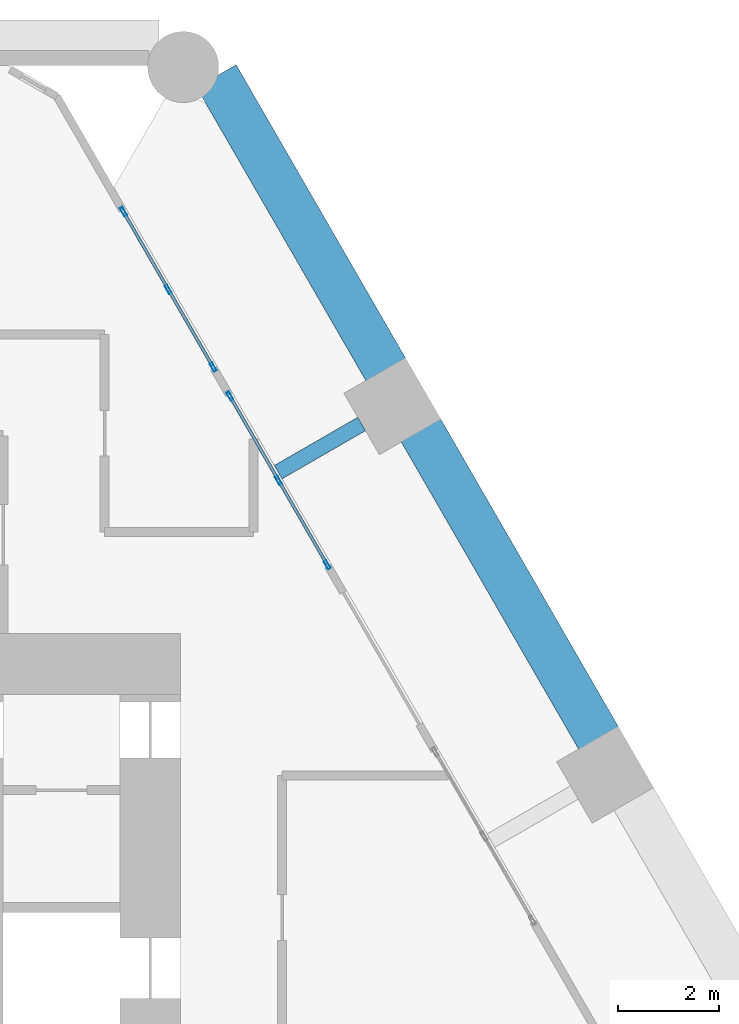
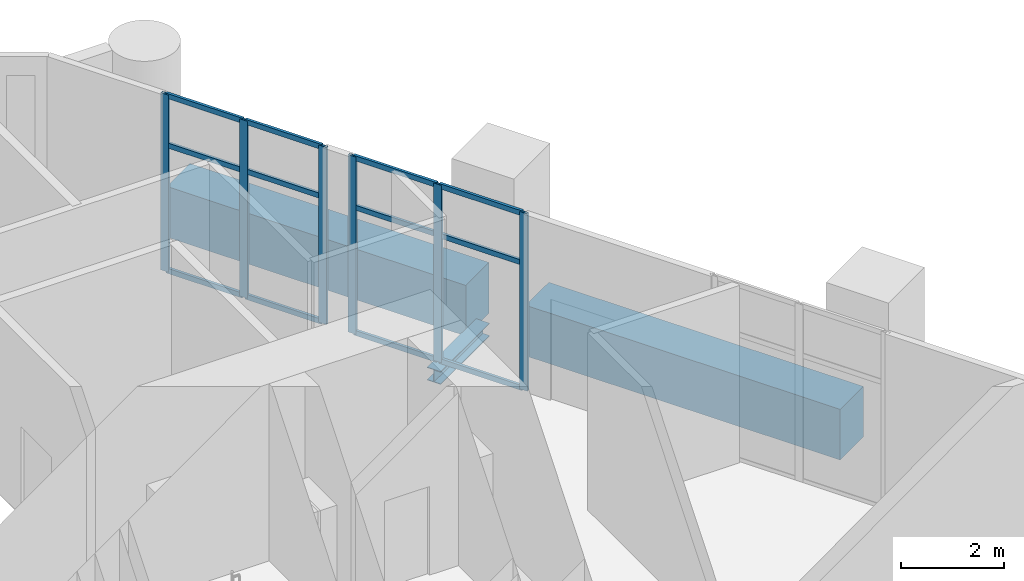
# One storey, part 11 of 18: 18 members, 3 beams, 2 elements without a shape of their own.
"""IFC4 building model written with IfcOpenShell, lengths in metres."""

from ifc_helpers import new_model, si_unit, direction, frame, origin, origin_2d, place, context, subcontext, project, spatial, rectangle, hollow_rectangle, i_section, extrude, material, material_profile, profile_set, type_object, element, aggregate, save


model = new_model("IFC4")

# Units and contexts
model_context = context("Model", 3, precision=1e-05, world=origin(), true_north=direction((0.0, 1.0)))
body_context = subcontext(model_context, "Body", "Model", "MODEL_VIEW")
ifc_project = project(units=[si_unit("LENGTHUNIT", "METRE"), si_unit("AREAUNIT", "SQUARE_METRE"), si_unit("VOLUMEUNIT", "CUBIC_METRE"), si_unit("PLANEANGLEUNIT", "RADIAN"), si_unit("MASSUNIT", "GRAM", prefix="KILO")], contexts=[model_context])

# Site, building, storey
site_placement = place(None, origin())
site = spatial("IfcSite", under=ifc_project, at=site_placement, CompositionType="ELEMENT")
building_placement = place(site_placement, origin())
building = spatial("IfcBuilding", under=site, at=building_placement, Name="Ostrander Bayou Hotel Tower", CompositionType="ELEMENT")
storey_placement = place(building_placement, frame((0.0, 0.0, 14.5)))
storey = spatial("IfcBuildingStorey", under=building, at=storey_placement, Name="L03", CompositionType="ELEMENT", Elevation=14.5)

# Curtain wall, members
ifc_material_1 = material(Name="Aluminium and clear glass", Category="aluminium")
curtain_wall_type = type_object("IfcCurtainWallType", Name="CW-SKY amenity glass wall", PredefinedType="NOTDEFINED", material=ifc_material_1)
curtain_wall_1_placement = place(storey_placement, origin())
curtain_wall_1 = element("IfcCurtainWall", 1, at=curtain_wall_1_placement, inside=storey, type_object=curtain_wall_type, Name="CW-SKY L03 NE 4", PredefinedType="NOTDEFINED")
ifc_material_2 = material(Name="Aluminium", Category="aluminium")
ifc_material_profile_1 = material_profile(ifc_material_2, hollow_rectangle(XDim=0.06005859375, YDim=0.179931640625, WallThickness=0.00390625, at=origin_2d()))
ifc_profile_set_1 = profile_set([ifc_material_profile_1], Name="Aluminium")
member_type_1 = type_object("IfcMemberType", Name="CW-SK mullion 60 x 180 mm", PredefinedType="MULLION", material=ifc_profile_set_1)
member_1_placement = place(storey_placement, frame((14.8916015625, 11.05712890625, 0.0), z_axis=(0.0, 0.0, 1.0), x_axis=(-0.866025463091, -0.499999897278, 0.0)))
member_1 = element("IfcMember", 2, at=member_1_placement, type_object=member_type_1, Name="CW-SKY mullion 1", PredefinedType="MULLION", context=body_context, shape_type="SweptSolid", body=[
    extrude(hollow_rectangle(XDim=0.06005859375, YDim=0.179931640625, WallThickness=0.00390625, at=origin_2d()), origin(), (0.0, 0.0, 1.0), 4.199951171875),
])
member_2_placement = place(storey_placement, frame((13.931396484375, 12.719970703125, 0.0), z_axis=(0.0, 0.0, 1.0), x_axis=(-0.866025463091, -0.499999897278, 0.0)))
member_2 = element("IfcMember", 3, at=member_2_placement, type_object=member_type_1, Name="CW-SKY mullion 2", PredefinedType="MULLION", context=body_context, shape_type="SweptSolid", body=[
    extrude(hollow_rectangle(XDim=0.06005859375, YDim=0.179931640625, WallThickness=0.00390625, at=origin_2d()), origin(), (0.0, 0.0, 1.0), 4.199951171875),
])
member_3_placement = place(storey_placement, frame((12.971435546875, 14.3828125, 0.0), z_axis=(0.0, 0.0, 1.0), x_axis=(-0.866025463091, -0.499999897278, 0.0)))
member_3 = element("IfcMember", 4, at=member_3_placement, type_object=member_type_1, Name="CW-SKY mullion 3", PredefinedType="MULLION", context=body_context, shape_type="SweptSolid", body=[
    extrude(hollow_rectangle(XDim=0.06005859375, YDim=0.179931640625, WallThickness=0.00390625, at=origin_2d()), origin(), (0.0, 0.0, 1.0), 4.199951171875),
])

curtain_wall_2_placement = place(storey_placement, origin())
curtain_wall_2 = element("IfcCurtainWall", 5, at=curtain_wall_2_placement, inside=storey, type_object=curtain_wall_type, Name="CW-SKY L03 NE 5", PredefinedType="NOTDEFINED")
member_4_placement = place(storey_placement, frame((12.6416015625, 14.954345703125, 0.0), z_axis=(0.0, 0.0, 1.0), x_axis=(-0.866025997283, -0.499998972029, 0.0)))
member_4 = element("IfcMember", 6, at=member_4_placement, type_object=member_type_1, Name="CW-SKY mullion 1", PredefinedType="MULLION", context=body_context, shape_type="SweptSolid", body=[
    extrude(hollow_rectangle(XDim=0.06005859375, YDim=0.179931640625, WallThickness=0.00390625, at=origin_2d()), origin(), (0.0, 0.0, 1.0), 4.199951171875),
])
member_5_placement = place(storey_placement, frame((11.756591796875, 16.487060546875, 0.0), z_axis=(0.0, 0.0, 1.0), x_axis=(-0.866025997283, -0.499998972029, 0.0)))
member_5 = element("IfcMember", 7, at=member_5_placement, type_object=member_type_1, Name="CW-SKY mullion 2", PredefinedType="MULLION", context=body_context, shape_type="SweptSolid", body=[
    extrude(hollow_rectangle(XDim=0.06005859375, YDim=0.179931640625, WallThickness=0.00390625, at=origin_2d()), origin(), (0.0, 0.0, 1.0), 4.199951171875),
])
member_6_placement = place(storey_placement, frame((10.87158203125, 18.02001953125, 0.0), z_axis=(0.0, 0.0, 1.0), x_axis=(-0.866025997283, -0.499998972029, 0.0)))
member_6 = element("IfcMember", 8, at=member_6_placement, type_object=member_type_1, Name="CW-SKY mullion 3", PredefinedType="MULLION", context=body_context, shape_type="SweptSolid", body=[
    extrude(hollow_rectangle(XDim=0.06005859375, YDim=0.179931640625, WallThickness=0.00390625, at=origin_2d()), origin(), (0.0, 0.0, 1.0), 4.199951171875),
])

# Member
ifc_material_3 = material(Name="Aluminium", Category="aluminium")
ifc_material_profile_2 = material_profile(ifc_material_3, hollow_rectangle(XDim=0.06005859375, YDim=0.1201171875, WallThickness=0.00390625, at=origin_2d()))
ifc_profile_set_2 = profile_set([ifc_material_profile_2], Name="Aluminium")
member_type_2 = type_object("IfcMemberType", Name="CW-SK transom 60 x 120 mm", PredefinedType="USERDEFINED", material=ifc_profile_set_2)
member_7_placement = place(storey_placement, frame((14.87646484375, 11.083251953125, 0.030029296875), z_axis=(-0.500021687003, 0.866012882425, 0.0), x_axis=(-0.866012882425, -0.500021687003, 0.0)))
member_7 = element("IfcMember", 9, at=member_7_placement, type_object=member_type_2, Name="CW-SKY transom 1.1", ObjectType="TRANSOM", PredefinedType="USERDEFINED", context=body_context, shape_type="SweptSolid", body=[
    extrude(hollow_rectangle(XDim=0.06005859375, YDim=0.1201171875, WallThickness=0.00390625, at=origin_2d()), origin(), (0.0, 0.0, 1.0), 1.85986328125),
])

member_8_placement = place(storey_placement, frame((14.87646484375, 11.083251953125, 3.0), z_axis=(-0.500021687003, 0.866012882425, 0.0), x_axis=(-0.866012882425, -0.500021687003, 0.0)))
member_8 = element("IfcMember", 10, at=member_8_placement, type_object=member_type_2, Name="CW-SKY transom 1.2", ObjectType="TRANSOM", PredefinedType="USERDEFINED", context=body_context, shape_type="SweptSolid", body=[
    extrude(hollow_rectangle(XDim=0.06005859375, YDim=0.1201171875, WallThickness=0.00390625, at=origin_2d()), origin(), (0.0, 0.0, 1.0), 1.85986328125),
])

member_9_placement = place(storey_placement, frame((14.87646484375, 11.083251953125, 4.169921875), z_axis=(-0.500021687003, 0.866012882425, 0.0), x_axis=(-0.866012882425, -0.500021687003, 0.0)))
member_9 = element("IfcMember", 11, at=member_9_placement, type_object=member_type_2, Name="CW-SKY transom 1.3", ObjectType="TRANSOM", PredefinedType="USERDEFINED", context=body_context, shape_type="SweptSolid", body=[
    extrude(hollow_rectangle(XDim=0.06005859375, YDim=0.1201171875, WallThickness=0.00390625, at=origin_2d()), origin(), (0.0, 0.0, 1.0), 1.85986328125),
])

member_10_placement = place(storey_placement, frame((13.91650390625, 12.745849609375, 0.030029296875), z_axis=(-0.499964847546, 0.866045698112, 0.0), x_axis=(-0.866045698112, -0.499964847546, 0.0)))
member_10 = element("IfcMember", 12, at=member_10_placement, type_object=member_type_2, Name="CW-SKY transom 2.1", ObjectType="TRANSOM", PredefinedType="USERDEFINED", context=body_context, shape_type="SweptSolid", body=[
    extrude(hollow_rectangle(XDim=0.06005859375, YDim=0.1201171875, WallThickness=0.00390625, at=origin_2d()), origin(), (0.0, 0.0, 1.0), 1.860107421875),
])

member_11_placement = place(storey_placement, frame((13.91650390625, 12.745849609375, 3.0), z_axis=(-0.499964847546, 0.866045698112, 0.0), x_axis=(-0.866045698112, -0.499964847546, 0.0)))
member_11 = element("IfcMember", 13, at=member_11_placement, type_object=member_type_2, Name="CW-SKY transom 2.2", ObjectType="TRANSOM", PredefinedType="USERDEFINED", context=body_context, shape_type="SweptSolid", body=[
    extrude(hollow_rectangle(XDim=0.06005859375, YDim=0.1201171875, WallThickness=0.00390625, at=origin_2d()), origin(), (0.0, 0.0, 1.0), 1.860107421875),
])

member_12_placement = place(storey_placement, frame((13.91650390625, 12.745849609375, 4.169921875), z_axis=(-0.499964847546, 0.866045698112, 0.0), x_axis=(-0.866045698112, -0.499964847546, 0.0)))
member_12 = element("IfcMember", 14, at=member_12_placement, type_object=member_type_2, Name="CW-SKY transom 2.3", ObjectType="TRANSOM", PredefinedType="USERDEFINED", context=body_context, shape_type="SweptSolid", body=[
    extrude(hollow_rectangle(XDim=0.06005859375, YDim=0.1201171875, WallThickness=0.00390625, at=origin_2d()), origin(), (0.0, 0.0, 1.0), 1.860107421875),
])

aggregate(curtain_wall_1, [member_1, member_2, member_3, member_7, member_8, member_9, member_10, member_11, member_12])

member_13_placement = place(storey_placement, frame((12.62646484375, 14.980224609375, 0.030029296875), z_axis=(-0.499977863513, 0.866038183914, 0.0), x_axis=(-0.866038183914, -0.499977863513, 0.0)))
member_13 = element("IfcMember", 15, at=member_13_placement, type_object=member_type_2, Name="CW-SKY transom 1.1", ObjectType="TRANSOM", PredefinedType="USERDEFINED", context=body_context, shape_type="SweptSolid", body=[
    extrude(hollow_rectangle(XDim=0.06005859375, YDim=0.1201171875, WallThickness=0.00390625, at=origin_2d()), origin(), (0.0, 0.0, 1.0), 1.7099609375),
])

member_14_placement = place(storey_placement, frame((12.62646484375, 14.980224609375, 3.0), z_axis=(-0.499977863513, 0.866038183914, 0.0), x_axis=(-0.866038183914, -0.499977863513, 0.0)))
member_14 = element("IfcMember", 16, at=member_14_placement, type_object=member_type_2, Name="CW-SKY transom 1.2", ObjectType="TRANSOM", PredefinedType="USERDEFINED", context=body_context, shape_type="SweptSolid", body=[
    extrude(hollow_rectangle(XDim=0.06005859375, YDim=0.1201171875, WallThickness=0.00390625, at=origin_2d()), origin(), (0.0, 0.0, 1.0), 1.7099609375),
])

member_15_placement = place(storey_placement, frame((12.62646484375, 14.980224609375, 4.169921875), z_axis=(-0.499977863513, 0.866038183914, 0.0), x_axis=(-0.866038183914, -0.499977863513, 0.0)))
member_15 = element("IfcMember", 17, at=member_15_placement, type_object=member_type_2, Name="CW-SKY transom 1.3", ObjectType="TRANSOM", PredefinedType="USERDEFINED", context=body_context, shape_type="SweptSolid", body=[
    extrude(hollow_rectangle(XDim=0.06005859375, YDim=0.1201171875, WallThickness=0.00390625, at=origin_2d()), origin(), (0.0, 0.0, 1.0), 1.7099609375),
])

member_16_placement = place(storey_placement, frame((11.741455078125, 16.51318359375, 0.030029296875), z_axis=(-0.499977863513, 0.866038183914, 0.0), x_axis=(-0.866038183914, -0.499977863513, 0.0)))
member_16 = element("IfcMember", 18, at=member_16_placement, type_object=member_type_2, Name="CW-SKY transom 2.1", ObjectType="TRANSOM", PredefinedType="USERDEFINED", context=body_context, shape_type="SweptSolid", body=[
    extrude(hollow_rectangle(XDim=0.06005859375, YDim=0.1201171875, WallThickness=0.00390625, at=origin_2d()), origin(), (0.0, 0.0, 1.0), 1.7099609375),
])

member_17_placement = place(storey_placement, frame((11.741455078125, 16.51318359375, 3.0), z_axis=(-0.499977863513, 0.866038183914, 0.0), x_axis=(-0.866038183914, -0.499977863513, 0.0)))
member_17 = element("IfcMember", 19, at=member_17_placement, type_object=member_type_2, Name="CW-SKY transom 2.2", ObjectType="TRANSOM", PredefinedType="USERDEFINED", context=body_context, shape_type="SweptSolid", body=[
    extrude(hollow_rectangle(XDim=0.06005859375, YDim=0.1201171875, WallThickness=0.00390625, at=origin_2d()), origin(), (0.0, 0.0, 1.0), 1.7099609375),
])

member_18_placement = place(storey_placement, frame((11.741455078125, 16.51318359375, 4.169921875), z_axis=(-0.499977863513, 0.866038183914, 0.0), x_axis=(-0.866038183914, -0.499977863513, 0.0)))
member_18 = element("IfcMember", 20, at=member_18_placement, type_object=member_type_2, Name="CW-SKY transom 2.3", ObjectType="TRANSOM", PredefinedType="USERDEFINED", context=body_context, shape_type="SweptSolid", body=[
    extrude(hollow_rectangle(XDim=0.06005859375, YDim=0.1201171875, WallThickness=0.00390625, at=origin_2d()), origin(), (0.0, 0.0, 1.0), 1.7099609375),
])

aggregate(curtain_wall_2, [member_4, member_5, member_6, member_13, member_14, member_15, member_16, member_17, member_18])

# Beams
ifc_material_4 = material(Name="Steel ASTM A992", Category="steel")
ifc_material_profile_3 = material_profile(ifc_material_4, i_section(OverallWidth=0.3046875, OverallDepth=0.307861328125, WebThickness=0.010009765625, FlangeThickness=0.015380859375, at=origin_2d()))
ifc_profile_set_3 = profile_set([ifc_material_profile_3], Name="Steel ASTM A992")
beam_type_1 = type_object("IfcBeamType", Name="LB1 loggia bracket W12x65", PredefinedType="BEAM", material=ifc_profile_set_3)
beam_1_placement = place(storey_placement, frame((15.569091796875, 13.833251953125, -0.453857421875), z_axis=(-0.86601224135, -0.500022797313, 0.0), x_axis=(0.500022797313, -0.86601224135, 0.0)))
element("IfcBeam", 21, at=beam_1_placement, inside=storey, type_object=beam_type_1, Name="LB1 L03 NE2", PredefinedType="BEAM", context=body_context, shape_type="SweptSolid", body=[
    extrude(i_section(OverallWidth=0.3046875, OverallDepth=0.307861328125, WebThickness=0.010009765625, FlangeThickness=0.015380859375, at=origin_2d()), origin(), (0.0, 0.0, 1.0), 1.89990234375),
])
ifc_material_5 = material(Name="Concrete f'c 70 MPa", Category="concrete")
ifc_material_profile_4 = material_profile(ifc_material_5, rectangle(XDim=0.89990234375, YDim=1.199951171875, at=origin_2d()))
ifc_profile_set_4 = profile_set([ifc_material_profile_4], Name="Concrete f'c 70 MPa")
beam_type_2 = type_object("IfcBeamType", Name="SP1 spandrel beam 900 x 1200 mm f'c 70 MPa", PredefinedType="SPANDREL", material=ifc_profile_set_4)
beam_2_placement = place(storey_placement, frame((20.252197265625, 7.621826171875, -0.60009765625), z_axis=(-0.499997206141, 0.866027016814, 0.0), x_axis=(-0.866027016814, -0.499997206141, 0.0)))
element("IfcBeam", 22, at=beam_2_placement, inside=storey, type_object=beam_type_2, Name="SP1 L03 NE-2", PredefinedType="SPANDREL", context=body_context, shape_type="SweptSolid", body=[
    extrude(rectangle(XDim=0.89990234375, YDim=1.199951171875, at=origin_2d()), origin(), (0.0, 0.0, 1.0), 7.05078125),
])
beam_3_placement = place(storey_placement, frame((16.056884765625, 14.888671875, -0.60009765625), z_axis=(-0.500005133765, 0.866022439784, 0.0), x_axis=(-0.866022439784, -0.500005133765, 0.0)))
element("IfcBeam", 23, at=beam_3_placement, inside=storey, type_object=beam_type_2, Name="SP1 L03 NE-3", PredefinedType="SPANDREL", context=body_context, shape_type="SweptSolid", body=[
    extrude(rectangle(XDim=0.89990234375, YDim=1.199951171875, at=origin_2d()), origin(), (0.0, 0.0, 1.0), 6.70361328125),
])

save(model, "model.ifc")
